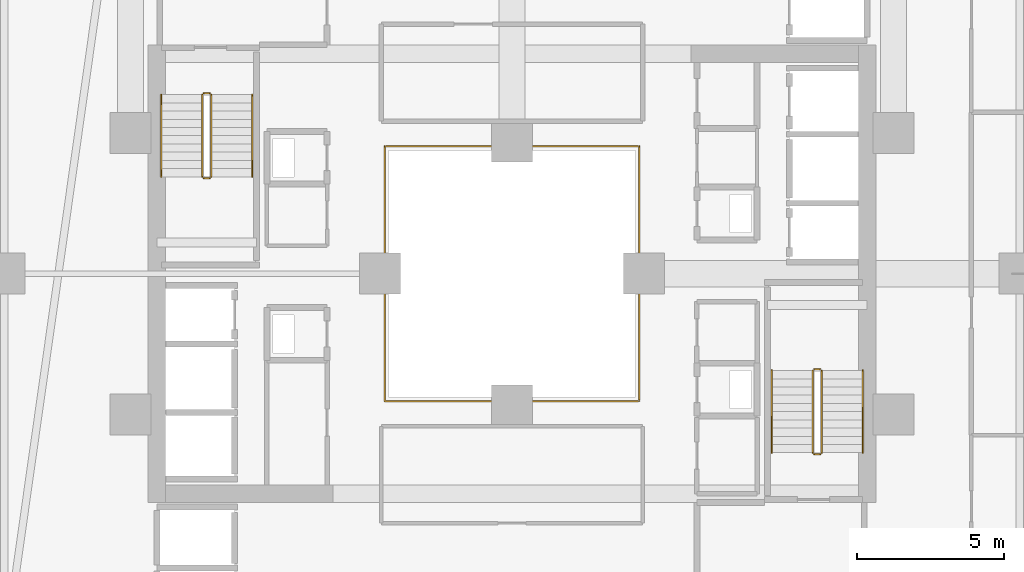
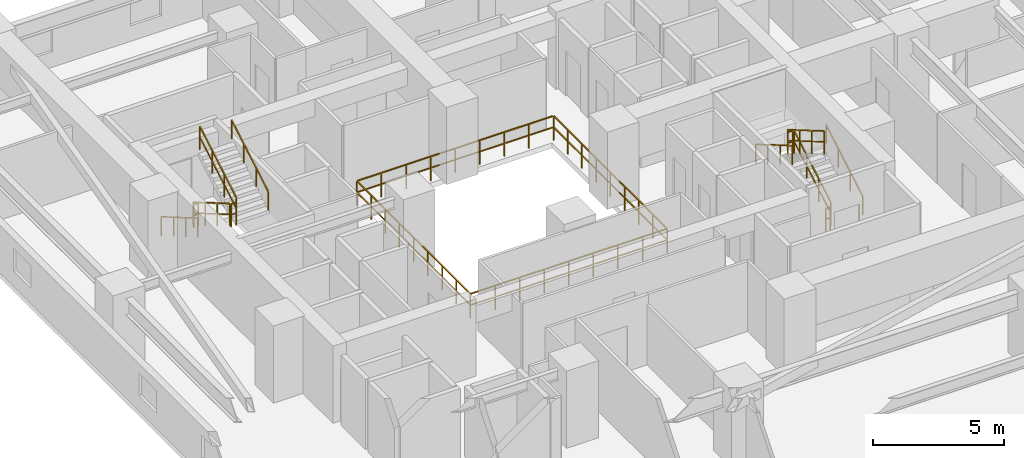
# One storey, part 35 of 36: 13 railings.
"""IFC4 building model written with IfcOpenShell, lengths in metres."""

from ifc_helpers import new_model, si_unit, direction, frame, origin, origin_2d, place, context, subcontext, project, spatial, rectangle, extrude, material, type_object, element, save


model = new_model("IFC4")

# Units and contexts
model_context = context("Model", 3, precision=1e-05, world=origin(), true_north=direction((0.0, 1.0)))
body_context = subcontext(model_context, "Body", "Model", "MODEL_VIEW")
ifc_project = project(units=[si_unit("LENGTHUNIT", "METRE"), si_unit("AREAUNIT", "SQUARE_METRE"), si_unit("VOLUMEUNIT", "CUBIC_METRE"), si_unit("PLANEANGLEUNIT", "RADIAN"), si_unit("MASSUNIT", "GRAM", prefix="KILO")], contexts=[model_context])

# Site, building, storey
site_placement = place(None, origin())
site = spatial("IfcSite", under=ifc_project, at=site_placement, CompositionType="ELEMENT")
building_placement = place(site_placement, origin())
building = spatial("IfcBuilding", under=site, at=building_placement, Name="Thornwick Lancets Civic Towers", CompositionType="ELEMENT")
storey_placement = place(building_placement, frame((0.0, 0.0, 45.89990234375)))
storey = spatial("IfcBuildingStorey", under=building, at=storey_placement, Name="L11", CompositionType="ELEMENT", Elevation=45.89990234375)

# Railings
ifc_material_1 = material(Name="Laminated glass and bronze steel S355", Category="steel")
railing_type_1 = type_object("IfcRailingType", Name="RAIL_ATRIUM_GUARD", PredefinedType="BALUSTRADE", material=ifc_material_1)
railing_1_placement = place(storey_placement, frame((84.159912109375, 22.659912109375, 0.0)))
element("IfcRailing", 1, at=railing_1_placement, inside=storey, type_object=railing_type_1, Name="L11 Tower B Central Atrium Guard Balustrade", PredefinedType="BALUSTRADE", context=body_context, shape_type="SweptSolid", body=[
    extrude(rectangle(XDim=0.048095703125, YDim=0.048095703125, at=origin_2d()), frame((0.0, 0.0, 1.1259765625), z_axis=(1.0, 0.0, 0.0), x_axis=(0.0, 1.0, 0.0)), (0.0, 0.0, 1.0), 8.64892578125),
    extrude(rectangle(XDim=0.0419921875, YDim=0.0419921875, at=origin_2d()), frame((0.03759765625, 0.0, 0.597900390625), z_axis=(1.0, 0.0, 0.0), x_axis=(0.0, 1.0, 0.0)), (0.0, 0.0, 1.0), 1.010009765625),
    extrude(rectangle(XDim=0.0419921875, YDim=0.0419921875, at=origin_2d()), frame((1.12255859375, 0.0, 0.597900390625), z_axis=(1.0, 0.0, 0.0), x_axis=(0.0, 1.0, 0.0)), (0.0, 0.0, 1.0), 1.010009765625),
    extrude(rectangle(XDim=0.0419921875, YDim=0.0419921875, at=origin_2d()), frame((2.20751953125, 0.0, 0.597900390625), z_axis=(1.0, 0.0, 0.0), x_axis=(0.0, 1.0, 0.0)), (0.0, 0.0, 1.0), 1.010009765625),
    extrude(rectangle(XDim=0.0419921875, YDim=0.0419921875, at=origin_2d()), frame((3.29248046875, 0.0, 0.597900390625), z_axis=(1.0, 0.0, 0.0), x_axis=(0.0, 1.0, 0.0)), (0.0, 0.0, 1.0), 1.010009765625),
    extrude(rectangle(XDim=0.0419921875, YDim=0.0419921875, at=origin_2d()), frame((4.377685546875, 0.0, 0.597900390625), z_axis=(1.0, 0.0, 0.0), x_axis=(0.0, 1.0, 0.0)), (0.0, 0.0, 1.0), 1.010009765625),
    extrude(rectangle(XDim=0.0419921875, YDim=0.0419921875, at=origin_2d()), frame((5.462646484375, 0.0, 0.597900390625), z_axis=(1.0, 0.0, 0.0), x_axis=(0.0, 1.0, 0.0)), (0.0, 0.0, 1.0), 1.010009765625),
    extrude(rectangle(XDim=0.0419921875, YDim=0.0419921875, at=origin_2d()), frame((6.547607421875, 0.0, 0.597900390625), z_axis=(1.0, 0.0, 0.0), x_axis=(0.0, 1.0, 0.0)), (0.0, 0.0, 1.0), 1.010009765625),
    extrude(rectangle(XDim=0.0419921875, YDim=0.0419921875, at=origin_2d()), frame((7.632568359375, 0.0, 0.597900390625), z_axis=(1.0, 0.0, 0.0), x_axis=(0.0, 1.0, 0.0)), (0.0, 0.0, 1.0), 1.010009765625),
    extrude(rectangle(XDim=0.048095703125, YDim=0.048095703125, at=origin_2d()), frame((8.68017578125, 0.03125, 1.1259765625), z_axis=(0.0, 1.0, 0.0), x_axis=(-1.0, 0.0, 0.0)), (0.0, 0.0, 1.0), 8.61767578125),
    extrude(rectangle(XDim=0.0419921875, YDim=0.0419921875, at=origin_2d()), frame((8.68017578125, 0.03759765625, 0.597900390625), z_axis=(0.0, 1.0, 0.0), x_axis=(-1.0, 0.0, 0.0)), (0.0, 0.0, 1.0), 1.010009765625),
    extrude(rectangle(XDim=0.0419921875, YDim=0.0419921875, at=origin_2d()), frame((8.68017578125, 1.12255859375, 0.597900390625), z_axis=(0.0, 1.0, 0.0), x_axis=(-1.0, 0.0, 0.0)), (0.0, 0.0, 1.0), 1.010009765625),
    extrude(rectangle(XDim=0.0419921875, YDim=0.0419921875, at=origin_2d()), frame((8.68017578125, 2.20751953125, 0.597900390625), z_axis=(0.0, 1.0, 0.0), x_axis=(-1.0, 0.0, 0.0)), (0.0, 0.0, 1.0), 1.010009765625),
    extrude(rectangle(XDim=0.0419921875, YDim=0.0419921875, at=origin_2d()), frame((8.68017578125, 3.29248046875, 0.597900390625), z_axis=(0.0, 1.0, 0.0), x_axis=(-1.0, 0.0, 0.0)), (0.0, 0.0, 1.0), 1.010009765625),
    extrude(rectangle(XDim=0.0419921875, YDim=0.0419921875, at=origin_2d()), frame((8.68017578125, 4.377685546875, 0.597900390625), z_axis=(0.0, 1.0, 0.0), x_axis=(-1.0, 0.0, 0.0)), (0.0, 0.0, 1.0), 1.010009765625),
    extrude(rectangle(XDim=0.0419921875, YDim=0.0419921875, at=origin_2d()), frame((8.68017578125, 5.462646484375, 0.597900390625), z_axis=(0.0, 1.0, 0.0), x_axis=(-1.0, 0.0, 0.0)), (0.0, 0.0, 1.0), 1.010009765625),
    extrude(rectangle(XDim=0.0419921875, YDim=0.0419921875, at=origin_2d()), frame((8.68017578125, 6.547607421875, 0.597900390625), z_axis=(0.0, 1.0, 0.0), x_axis=(-1.0, 0.0, 0.0)), (0.0, 0.0, 1.0), 1.010009765625),
    extrude(rectangle(XDim=0.0419921875, YDim=0.0419921875, at=origin_2d()), frame((8.68017578125, 7.632568359375, 0.597900390625), z_axis=(0.0, 1.0, 0.0), x_axis=(-1.0, 0.0, 0.0)), (0.0, 0.0, 1.0), 1.010009765625),
    extrude(rectangle(XDim=0.048095703125, YDim=0.048095703125, at=origin_2d()), frame((8.64892578125, 8.68017578125, 1.1259765625), z_axis=(-1.0, 0.0, 0.0), x_axis=(0.0, -1.0, 0.0)), (0.0, 0.0, 1.0), 8.61767578125),
    extrude(rectangle(XDim=0.0419921875, YDim=0.0419921875, at=origin_2d()), frame((8.642578125, 8.68017578125, 0.597900390625), z_axis=(-1.0, 0.0, 0.0), x_axis=(0.0, -1.0, 0.0)), (0.0, 0.0, 1.0), 1.010009765625),
    extrude(rectangle(XDim=0.0419921875, YDim=0.0419921875, at=origin_2d()), frame((7.5576171875, 8.68017578125, 0.597900390625), z_axis=(-1.0, 0.0, 0.0), x_axis=(0.0, -1.0, 0.0)), (0.0, 0.0, 1.0), 1.010009765625),
    extrude(rectangle(XDim=0.0419921875, YDim=0.0419921875, at=origin_2d()), frame((6.47265625, 8.68017578125, 0.597900390625), z_axis=(-1.0, 0.0, 0.0), x_axis=(0.0, -1.0, 0.0)), (0.0, 0.0, 1.0), 1.010009765625),
    extrude(rectangle(XDim=0.0419921875, YDim=0.0419921875, at=origin_2d()), frame((5.3876953125, 8.68017578125, 0.597900390625), z_axis=(-1.0, 0.0, 0.0), x_axis=(0.0, -1.0, 0.0)), (0.0, 0.0, 1.0), 1.010009765625),
    extrude(rectangle(XDim=0.0419921875, YDim=0.0419921875, at=origin_2d()), frame((4.302490234375, 8.68017578125, 0.597900390625), z_axis=(-1.0, 0.0, 0.0), x_axis=(0.0, -1.0, 0.0)), (0.0, 0.0, 1.0), 1.010009765625),
    extrude(rectangle(XDim=0.0419921875, YDim=0.0419921875, at=origin_2d()), frame((3.217529296875, 8.68017578125, 0.597900390625), z_axis=(-1.0, 0.0, 0.0), x_axis=(0.0, -1.0, 0.0)), (0.0, 0.0, 1.0), 1.010009765625),
    extrude(rectangle(XDim=0.0419921875, YDim=0.0419921875, at=origin_2d()), frame((2.132568359375, 8.68017578125, 0.597900390625), z_axis=(-1.0, 0.0, 0.0), x_axis=(0.0, -1.0, 0.0)), (0.0, 0.0, 1.0), 1.010009765625),
    extrude(rectangle(XDim=0.0419921875, YDim=0.0419921875, at=origin_2d()), frame((1.047607421875, 8.68017578125, 0.597900390625), z_axis=(-1.0, 0.0, 0.0), x_axis=(0.0, -1.0, 0.0)), (0.0, 0.0, 1.0), 1.010009765625),
    extrude(rectangle(XDim=0.048095703125, YDim=0.048095703125, at=origin_2d()), frame((0.0, 8.64892578125, 1.1259765625), z_axis=(0.0, -1.0, 0.0), x_axis=(1.0, 0.0, 0.0)), (0.0, 0.0, 1.0), 8.64892578125),
    extrude(rectangle(XDim=0.0419921875, YDim=0.0419921875, at=origin_2d()), frame((0.0, 8.642578125, 0.597900390625), z_axis=(0.0, -1.0, 0.0), x_axis=(1.0, 0.0, 0.0)), (0.0, 0.0, 1.0), 1.010009765625),
    extrude(rectangle(XDim=0.0419921875, YDim=0.0419921875, at=origin_2d()), frame((0.0, 7.5576171875, 0.597900390625), z_axis=(0.0, -1.0, 0.0), x_axis=(1.0, 0.0, 0.0)), (0.0, 0.0, 1.0), 1.010009765625),
    extrude(rectangle(XDim=0.0419921875, YDim=0.0419921875, at=origin_2d()), frame((0.0, 6.47265625, 0.597900390625), z_axis=(0.0, -1.0, 0.0), x_axis=(1.0, 0.0, 0.0)), (0.0, 0.0, 1.0), 1.010009765625),
    extrude(rectangle(XDim=0.0419921875, YDim=0.0419921875, at=origin_2d()), frame((0.0, 5.3876953125, 0.597900390625), z_axis=(0.0, -1.0, 0.0), x_axis=(1.0, 0.0, 0.0)), (0.0, 0.0, 1.0), 1.010009765625),
    extrude(rectangle(XDim=0.0419921875, YDim=0.0419921875, at=origin_2d()), frame((0.0, 4.302490234375, 0.597900390625), z_axis=(0.0, -1.0, 0.0), x_axis=(1.0, 0.0, 0.0)), (0.0, 0.0, 1.0), 1.010009765625),
    extrude(rectangle(XDim=0.0419921875, YDim=0.0419921875, at=origin_2d()), frame((0.0, 3.217529296875, 0.597900390625), z_axis=(0.0, -1.0, 0.0), x_axis=(1.0, 0.0, 0.0)), (0.0, 0.0, 1.0), 1.010009765625),
    extrude(rectangle(XDim=0.0419921875, YDim=0.0419921875, at=origin_2d()), frame((0.0, 2.132568359375, 0.597900390625), z_axis=(0.0, -1.0, 0.0), x_axis=(1.0, 0.0, 0.0)), (0.0, 0.0, 1.0), 1.010009765625),
    extrude(rectangle(XDim=0.0419921875, YDim=0.0419921875, at=origin_2d()), frame((0.0, 1.047607421875, 0.597900390625), z_axis=(0.0, -1.0, 0.0), x_axis=(1.0, 0.0, 0.0)), (0.0, 0.0, 1.0), 1.010009765625),
    extrude(rectangle(XDim=0.0419921875, YDim=0.0419921875, at=origin_2d()), origin(), (0.0, 0.0, 1.0), 1.095703125),
    extrude(rectangle(XDim=0.0419921875, YDim=0.0419921875, at=origin_2d()), frame((1.0849609375, 0.0, 0.0)), (0.0, 0.0, 1.0), 1.095703125),
    extrude(rectangle(XDim=0.0419921875, YDim=0.0419921875, at=origin_2d()), frame((2.169921875, 0.0, 0.0)), (0.0, 0.0, 1.0), 1.095703125),
    extrude(rectangle(XDim=0.0419921875, YDim=0.0419921875, at=origin_2d()), frame((3.255126953125, 0.0, 0.0)), (0.0, 0.0, 1.0), 1.095703125),
    extrude(rectangle(XDim=0.0419921875, YDim=0.0419921875, at=origin_2d()), frame((4.340087890625, 0.0, 0.0)), (0.0, 0.0, 1.0), 1.095703125),
    extrude(rectangle(XDim=0.0419921875, YDim=0.0419921875, at=origin_2d()), frame((5.425048828125, 0.0, 0.0)), (0.0, 0.0, 1.0), 1.095703125),
    extrude(rectangle(XDim=0.0419921875, YDim=0.0419921875, at=origin_2d()), frame((6.51025390625, 0.0, 0.0)), (0.0, 0.0, 1.0), 1.095703125),
    extrude(rectangle(XDim=0.0419921875, YDim=0.0419921875, at=origin_2d()), frame((7.59521484375, 0.0, 0.0)), (0.0, 0.0, 1.0), 1.095703125),
    extrude(rectangle(XDim=0.0419921875, YDim=0.0419921875, at=origin_2d()), frame((8.68017578125, 0.0, 0.0)), (0.0, 0.0, 1.0), 1.095703125),
    extrude(rectangle(XDim=0.0419921875, YDim=0.0419921875, at=origin_2d()), frame((8.68017578125, 1.0849609375, 0.0)), (0.0, 0.0, 1.0), 1.095703125),
    extrude(rectangle(XDim=0.0419921875, YDim=0.0419921875, at=origin_2d()), frame((8.68017578125, 2.169921875, 0.0)), (0.0, 0.0, 1.0), 1.095703125),
    extrude(rectangle(XDim=0.0419921875, YDim=0.0419921875, at=origin_2d()), frame((8.68017578125, 3.255126953125, 0.0)), (0.0, 0.0, 1.0), 1.095703125),
    extrude(rectangle(XDim=0.0419921875, YDim=0.0419921875, at=origin_2d()), frame((8.68017578125, 4.340087890625, 0.0)), (0.0, 0.0, 1.0), 1.095703125),
    extrude(rectangle(XDim=0.0419921875, YDim=0.0419921875, at=origin_2d()), frame((8.68017578125, 5.425048828125, 0.0)), (0.0, 0.0, 1.0), 1.095703125),
    extrude(rectangle(XDim=0.0419921875, YDim=0.0419921875, at=origin_2d()), frame((8.68017578125, 6.51025390625, 0.0)), (0.0, 0.0, 1.0), 1.095703125),
    extrude(rectangle(XDim=0.0419921875, YDim=0.0419921875, at=origin_2d()), frame((8.68017578125, 7.59521484375, 0.0)), (0.0, 0.0, 1.0), 1.095703125),
    extrude(rectangle(XDim=0.0419921875, YDim=0.0419921875, at=origin_2d()), frame((8.68017578125, 8.68017578125, 0.0)), (0.0, 0.0, 1.0), 1.095703125),
    extrude(rectangle(XDim=0.0419921875, YDim=0.0419921875, at=origin_2d()), frame((7.59521484375, 8.68017578125, 0.0)), (0.0, 0.0, 1.0), 1.095703125),
    extrude(rectangle(XDim=0.0419921875, YDim=0.0419921875, at=origin_2d()), frame((6.51025390625, 8.68017578125, 0.0)), (0.0, 0.0, 1.0), 1.095703125),
    extrude(rectangle(XDim=0.0419921875, YDim=0.0419921875, at=origin_2d()), frame((5.425048828125, 8.68017578125, 0.0)), (0.0, 0.0, 1.0), 1.095703125),
    extrude(rectangle(XDim=0.0419921875, YDim=0.0419921875, at=origin_2d()), frame((4.340087890625, 8.68017578125, 0.0)), (0.0, 0.0, 1.0), 1.095703125),
    extrude(rectangle(XDim=0.0419921875, YDim=0.0419921875, at=origin_2d()), frame((3.255126953125, 8.68017578125, 0.0)), (0.0, 0.0, 1.0), 1.095703125),
    extrude(rectangle(XDim=0.0419921875, YDim=0.0419921875, at=origin_2d()), frame((2.169921875, 8.68017578125, 0.0)), (0.0, 0.0, 1.0), 1.095703125),
    extrude(rectangle(XDim=0.0419921875, YDim=0.0419921875, at=origin_2d()), frame((1.0849609375, 8.68017578125, 0.0)), (0.0, 0.0, 1.0), 1.095703125),
    extrude(rectangle(XDim=0.0419921875, YDim=0.0419921875, at=origin_2d()), frame((0.0, 8.68017578125, 0.0)), (0.0, 0.0, 1.0), 1.095703125),
    extrude(rectangle(XDim=0.0419921875, YDim=0.0419921875, at=origin_2d()), frame((0.0, 7.59521484375, 0.0)), (0.0, 0.0, 1.0), 1.095703125),
    extrude(rectangle(XDim=0.0419921875, YDim=0.0419921875, at=origin_2d()), frame((0.0, 6.51025390625, 0.0)), (0.0, 0.0, 1.0), 1.095703125),
    extrude(rectangle(XDim=0.0419921875, YDim=0.0419921875, at=origin_2d()), frame((0.0, 5.425048828125, 0.0)), (0.0, 0.0, 1.0), 1.095703125),
    extrude(rectangle(XDim=0.0419921875, YDim=0.0419921875, at=origin_2d()), frame((0.0, 4.340087890625, 0.0)), (0.0, 0.0, 1.0), 1.095703125),
    extrude(rectangle(XDim=0.0419921875, YDim=0.0419921875, at=origin_2d()), frame((0.0, 3.255126953125, 0.0)), (0.0, 0.0, 1.0), 1.095703125),
    extrude(rectangle(XDim=0.0419921875, YDim=0.0419921875, at=origin_2d()), frame((0.0, 2.169921875, 0.0)), (0.0, 0.0, 1.0), 1.095703125),
    extrude(rectangle(XDim=0.0419921875, YDim=0.0419921875, at=origin_2d()), frame((0.0, 1.0849609375, 0.0)), (0.0, 0.0, 1.0), 1.095703125),
])
ifc_material_2 = material(Name="Brushed stainless steel S355", Category="steel")
railing_type_2 = type_object("IfcRailingType", Name="RAIL_HANDRAIL", PredefinedType="HANDRAIL", material=ifc_material_2)
railing_2_placement = place(storey_placement, frame((100.449951171875, 20.89990234375, 0.163818359375)))
element("IfcRailing", 2, at=railing_2_placement, inside=storey, type_object=railing_type_2, Name="L11 ST-B1 stair handrail 1", PredefinedType="HANDRAIL", context=body_context, shape_type="SweptSolid", body=[
    extrude(rectangle(XDim=0.048095703125, YDim=0.048095703125, at=origin_2d()), frame((0.0, 0.0, 0.8857421875), z_axis=(0.0, 0.863393664356, 0.504530851732), x_axis=(-1.0, 0.0, 0.0)), (0.0, 0.0, 1.0), 3.2431640625),
    extrude(rectangle(XDim=0.0419921875, YDim=0.0419921875, at=origin_2d()), origin(), (0.0, 0.0, 1.0), 0.855712890625),
    extrude(rectangle(XDim=0.0419921875, YDim=0.0419921875, at=origin_2d()), frame((0.0, 0.933349609375, 0.54541015625)), (0.0, 0.0, 1.0), 0.855712890625),
    extrude(rectangle(XDim=0.0419921875, YDim=0.0419921875, at=origin_2d()), frame((0.0, 1.86669921875, 1.0908203125)), (0.0, 0.0, 1.0), 0.855712890625),
    extrude(rectangle(XDim=0.0419921875, YDim=0.0419921875, at=origin_2d()), frame((0.0, 2.800048828125, 1.63623046875)), (0.0, 0.0, 1.0), 0.855712890625),
])
railing_3_placement = place(storey_placement, frame((97.35009765625, 23.699951171875, 1.963623046875)))
element("IfcRailing", 3, at=railing_3_placement, inside=storey, type_object=railing_type_2, Name="L11 ST-B1 stair handrail 2", PredefinedType="HANDRAIL", context=body_context, shape_type="SweptSolid", body=[
    extrude(rectangle(XDim=0.048095703125, YDim=0.048095703125, at=origin_2d()), frame((0.0, 0.0, 0.8857421875), z_axis=(0.0, -0.863360870873, 0.504586966384), x_axis=(1.0, 0.0, 0.0)), (0.0, 0.0, 1.0), 3.2431640625),
    extrude(rectangle(XDim=0.0419921875, YDim=0.0419921875, at=origin_2d()), origin(), (0.0, 0.0, 1.0), 0.855712890625),
    extrude(rectangle(XDim=0.0419921875, YDim=0.0419921875, at=origin_2d()), frame((0.0, -0.933349609375, 0.54541015625)), (0.0, 0.0, 1.0), 0.855712890625),
    extrude(rectangle(XDim=0.0419921875, YDim=0.0419921875, at=origin_2d()), frame((0.0, -1.86669921875, 1.091064453125)), (0.0, 0.0, 1.0), 0.855712890625),
    extrude(rectangle(XDim=0.0419921875, YDim=0.0419921875, at=origin_2d()), frame((0.0, -2.800048828125, 1.636474609375)), (0.0, 0.0, 1.0), 0.855712890625),
])
railing_4_placement = place(storey_placement, frame((76.550048828125, 33.10009765625, 0.163818359375)))
element("IfcRailing", 4, at=railing_4_placement, inside=storey, type_object=railing_type_2, Name="L11 ST-B2 stair handrail 1", PredefinedType="HANDRAIL", context=body_context, shape_type="SweptSolid", body=[
    extrude(rectangle(XDim=0.048095703125, YDim=0.048095703125, at=origin_2d()), frame((0.0, 0.0, 0.8857421875), z_axis=(0.0, -0.863393664356, 0.504530851732), x_axis=(1.0, 0.0, 0.0)), (0.0, 0.0, 1.0), 3.2431640625),
    extrude(rectangle(XDim=0.0419921875, YDim=0.0419921875, at=origin_2d()), origin(), (0.0, 0.0, 1.0), 0.855712890625),
    extrude(rectangle(XDim=0.0419921875, YDim=0.0419921875, at=origin_2d()), frame((0.0, -0.933349609375, 0.54541015625)), (0.0, 0.0, 1.0), 0.855712890625),
    extrude(rectangle(XDim=0.0419921875, YDim=0.0419921875, at=origin_2d()), frame((0.0, -1.86669921875, 1.0908203125)), (0.0, 0.0, 1.0), 0.855712890625),
    extrude(rectangle(XDim=0.0419921875, YDim=0.0419921875, at=origin_2d()), frame((0.0, -2.800048828125, 1.63623046875)), (0.0, 0.0, 1.0), 0.855712890625),
])
railing_5_placement = place(storey_placement, frame((79.64990234375, 30.300048828125, 1.963623046875)))
element("IfcRailing", 5, at=railing_5_placement, inside=storey, type_object=railing_type_2, Name="L11 ST-B2 stair handrail 2", PredefinedType="HANDRAIL", context=body_context, shape_type="SweptSolid", body=[
    extrude(rectangle(XDim=0.048095703125, YDim=0.048095703125, at=origin_2d()), frame((0.0, 0.0, 0.8857421875), z_axis=(0.0, 0.863360870873, 0.504586966384), x_axis=(-1.0, 0.0, 0.0)), (0.0, 0.0, 1.0), 3.2431640625),
    extrude(rectangle(XDim=0.0419921875, YDim=0.0419921875, at=origin_2d()), origin(), (0.0, 0.0, 1.0), 0.855712890625),
    extrude(rectangle(XDim=0.0419921875, YDim=0.0419921875, at=origin_2d()), frame((0.0, 0.933349609375, 0.54541015625)), (0.0, 0.0, 1.0), 0.855712890625),
    extrude(rectangle(XDim=0.0419921875, YDim=0.0419921875, at=origin_2d()), frame((0.0, 1.86669921875, 1.091064453125)), (0.0, 0.0, 1.0), 0.855712890625),
    extrude(rectangle(XDim=0.0419921875, YDim=0.0419921875, at=origin_2d()), frame((0.0, 2.800048828125, 1.636474609375)), (0.0, 0.0, 1.0), 0.855712890625),
])
ifc_material_3 = material(Name="Steel S355JR", Category="steel")
railing_type_3 = type_object("IfcRailingType", Name="RAIL_STAIR_GUARD", PredefinedType="GUARDRAIL", material=ifc_material_3)
railing_6_placement = place(storey_placement, frame((99.050048828125, 20.89990234375, 0.163818359375)))
element("IfcRailing", 6, at=railing_6_placement, inside=storey, type_object=railing_type_3, Name="L11 ST-B1 stair guard 1", PredefinedType="GUARDRAIL", context=body_context, shape_type="SweptSolid", body=[
    extrude(rectangle(XDim=0.048095703125, YDim=0.048095703125, at=origin_2d()), frame((0.0, 0.0, 1.076171875), z_axis=(0.0, 0.863393664356, 0.504530851732), x_axis=(-1.0, 0.0, 0.0)), (0.0, 0.0, 1.0), 3.2431640625),
    extrude(rectangle(XDim=0.0419921875, YDim=0.0419921875, at=origin_2d()), frame((0.0, 0.032470703125, 0.591064453125), z_axis=(0.0, 0.863393664356, 0.504530851732), x_axis=(-1.0, 0.0, 0.0)), (0.0, 0.0, 1.0), 1.006103515625),
    extrude(rectangle(XDim=0.0419921875, YDim=0.0419921875, at=origin_2d()), frame((0.0, 0.9658203125, 1.136474609375), z_axis=(0.0, 0.863393664356, 0.504530851732), x_axis=(-1.0, 0.0, 0.0)), (0.0, 0.0, 1.0), 1.006103515625),
    extrude(rectangle(XDim=0.0419921875, YDim=0.0419921875, at=origin_2d()), frame((0.0, 1.899169921875, 1.681884765625), z_axis=(0.0, 0.863393664356, 0.504530851732), x_axis=(-1.0, 0.0, 0.0)), (0.0, 0.0, 1.0), 1.006103515625),
    extrude(rectangle(XDim=0.0419921875, YDim=0.0419921875, at=origin_2d()), origin(), (0.0, 0.0, 1.0), 1.0458984375),
    extrude(rectangle(XDim=0.0419921875, YDim=0.0419921875, at=origin_2d()), frame((0.0, 0.933349609375, 0.54541015625)), (0.0, 0.0, 1.0), 1.0458984375),
    extrude(rectangle(XDim=0.0419921875, YDim=0.0419921875, at=origin_2d()), frame((0.0, 1.86669921875, 1.0908203125)), (0.0, 0.0, 1.0), 1.0458984375),
    extrude(rectangle(XDim=0.0419921875, YDim=0.0419921875, at=origin_2d()), frame((0.0, 2.800048828125, 1.63623046875)), (0.0, 0.0, 1.0), 1.0458984375),
])
railing_7_placement = place(storey_placement, frame((99.0, 23.75, 1.800048828125)))
element("IfcRailing", 7, at=railing_7_placement, inside=storey, type_object=railing_type_3, Name="L11 ST-B1 stair guard 2", PredefinedType="GUARDRAIL", context=body_context, shape_type="SweptSolid", body=[
    extrude(rectangle(XDim=0.048095703125, YDim=0.048095703125, at=origin_2d()), frame((0.0, 0.0, 1.076171875), z_axis=(-1.0, 0.0, 0.0), x_axis=(0.0, -1.0, 0.0)), (0.0, 0.0, 1.0), 0.199951171875),
    extrude(rectangle(XDim=0.0419921875, YDim=0.0419921875, at=origin_2d()), frame((-0.03759765625, 0.0, 0.572021484375), z_axis=(-1.0, 0.0, 0.0), x_axis=(0.0, -1.0, 0.0)), (0.0, 0.0, 1.0), 0.125),
    extrude(rectangle(XDim=0.0419921875, YDim=0.0419921875, at=origin_2d()), origin(), (0.0, 0.0, 1.0), 1.0458984375),
    extrude(rectangle(XDim=0.0419921875, YDim=0.0419921875, at=origin_2d()), frame((-0.199951171875, 0.0, 0.0)), (0.0, 0.0, 1.0), 1.0458984375),
])
railing_8_placement = place(storey_placement, frame((98.75, 23.699951171875, 1.963623046875)))
element("IfcRailing", 8, at=railing_8_placement, inside=storey, type_object=railing_type_3, Name="L11 ST-B1 stair guard 3", PredefinedType="GUARDRAIL", context=body_context, shape_type="SweptSolid", body=[
    extrude(rectangle(XDim=0.048095703125, YDim=0.048095703125, at=origin_2d()), frame((0.0, 0.0, 1.076171875), z_axis=(0.0, -0.863360870873, 0.504586966384), x_axis=(1.0, 0.0, 0.0)), (0.0, 0.0, 1.0), 3.2431640625),
    extrude(rectangle(XDim=0.0419921875, YDim=0.0419921875, at=origin_2d()), frame((0.0, -0.032470703125, 0.591064453125), z_axis=(0.0, -0.863360870873, 0.504586966384), x_axis=(1.0, 0.0, 0.0)), (0.0, 0.0, 1.0), 1.006103515625),
    extrude(rectangle(XDim=0.0419921875, YDim=0.0419921875, at=origin_2d()), frame((0.0, -0.9658203125, 1.136474609375), z_axis=(0.0, -0.863360870873, 0.504586966384), x_axis=(1.0, 0.0, 0.0)), (0.0, 0.0, 1.0), 1.006103515625),
    extrude(rectangle(XDim=0.0419921875, YDim=0.0419921875, at=origin_2d()), frame((0.0, -1.899169921875, 1.681884765625), z_axis=(0.0, -0.863360870873, 0.504586966384), x_axis=(1.0, 0.0, 0.0)), (0.0, 0.0, 1.0), 1.006103515625),
    extrude(rectangle(XDim=0.0419921875, YDim=0.0419921875, at=origin_2d()), origin(), (0.0, 0.0, 1.0), 1.0458984375),
    extrude(rectangle(XDim=0.0419921875, YDim=0.0419921875, at=origin_2d()), frame((0.0, -0.933349609375, 0.54541015625)), (0.0, 0.0, 1.0), 1.0458984375),
    extrude(rectangle(XDim=0.0419921875, YDim=0.0419921875, at=origin_2d()), frame((0.0, -1.86669921875, 1.091064453125)), (0.0, 0.0, 1.0), 1.0458984375),
    extrude(rectangle(XDim=0.0419921875, YDim=0.0419921875, at=origin_2d()), frame((0.0, -2.800048828125, 1.636474609375)), (0.0, 0.0, 1.0), 1.0458984375),
])
railing_9_placement = place(storey_placement, frame((99.0, 20.85009765625, 0.0)))
element("IfcRailing", 9, at=railing_9_placement, inside=storey, type_object=railing_type_3, Name="L11 ST-B1 stair guard 4", PredefinedType="GUARDRAIL", context=body_context, shape_type="SweptSolid", body=[
    extrude(rectangle(XDim=0.048095703125, YDim=0.048095703125, at=origin_2d()), frame((0.0, 0.0, 1.076171875), z_axis=(-1.0, 0.0, 0.0), x_axis=(0.0, -1.0, 0.0)), (0.0, 0.0, 1.0), 0.199951171875),
    extrude(rectangle(XDim=0.0419921875, YDim=0.0419921875, at=origin_2d()), frame((-0.03759765625, 0.0, 0.572021484375), z_axis=(-1.0, 0.0, 0.0), x_axis=(0.0, -1.0, 0.0)), (0.0, 0.0, 1.0), 0.125),
    extrude(rectangle(XDim=0.0419921875, YDim=0.0419921875, at=origin_2d()), origin(), (0.0, 0.0, 1.0), 1.0458984375),
    extrude(rectangle(XDim=0.0419921875, YDim=0.0419921875, at=origin_2d()), frame((-0.199951171875, 0.0, 0.0)), (0.0, 0.0, 1.0), 1.0458984375),
])
railing_10_placement = place(storey_placement, frame((77.949951171875, 33.10009765625, 0.163818359375)))
element("IfcRailing", 10, at=railing_10_placement, inside=storey, type_object=railing_type_3, Name="L11 ST-B2 stair guard 1", PredefinedType="GUARDRAIL", context=body_context, shape_type="SweptSolid", body=[
    extrude(rectangle(XDim=0.048095703125, YDim=0.048095703125, at=origin_2d()), frame((0.0, 0.0, 1.076171875), z_axis=(0.0, -0.863393664356, 0.504530851732), x_axis=(1.0, 0.0, 0.0)), (0.0, 0.0, 1.0), 3.2431640625),
    extrude(rectangle(XDim=0.0419921875, YDim=0.0419921875, at=origin_2d()), frame((0.0, -0.032470703125, 0.591064453125), z_axis=(0.0, -0.863393664356, 0.504530851732), x_axis=(1.0, 0.0, 0.0)), (0.0, 0.0, 1.0), 1.006103515625),
    extrude(rectangle(XDim=0.0419921875, YDim=0.0419921875, at=origin_2d()), frame((0.0, -0.9658203125, 1.136474609375), z_axis=(0.0, -0.863393664356, 0.504530851732), x_axis=(1.0, 0.0, 0.0)), (0.0, 0.0, 1.0), 1.006103515625),
    extrude(rectangle(XDim=0.0419921875, YDim=0.0419921875, at=origin_2d()), frame((0.0, -1.899169921875, 1.681884765625), z_axis=(0.0, -0.863393664356, 0.504530851732), x_axis=(1.0, 0.0, 0.0)), (0.0, 0.0, 1.0), 1.006103515625),
    extrude(rectangle(XDim=0.0419921875, YDim=0.0419921875, at=origin_2d()), origin(), (0.0, 0.0, 1.0), 1.0458984375),
    extrude(rectangle(XDim=0.0419921875, YDim=0.0419921875, at=origin_2d()), frame((0.0, -0.933349609375, 0.54541015625)), (0.0, 0.0, 1.0), 1.0458984375),
    extrude(rectangle(XDim=0.0419921875, YDim=0.0419921875, at=origin_2d()), frame((0.0, -1.86669921875, 1.0908203125)), (0.0, 0.0, 1.0), 1.0458984375),
    extrude(rectangle(XDim=0.0419921875, YDim=0.0419921875, at=origin_2d()), frame((0.0, -2.800048828125, 1.63623046875)), (0.0, 0.0, 1.0), 1.0458984375),
])
railing_11_placement = place(storey_placement, frame((78.0, 30.25, 1.800048828125)))
element("IfcRailing", 11, at=railing_11_placement, inside=storey, type_object=railing_type_3, Name="L11 ST-B2 stair guard 2", PredefinedType="GUARDRAIL", context=body_context, shape_type="SweptSolid", body=[
    extrude(rectangle(XDim=0.048095703125, YDim=0.048095703125, at=origin_2d()), frame((0.0, 0.0, 1.076171875), z_axis=(1.0, 0.0, 0.0), x_axis=(0.0, 1.0, 0.0)), (0.0, 0.0, 1.0), 0.199951171875),
    extrude(rectangle(XDim=0.0419921875, YDim=0.0419921875, at=origin_2d()), frame((0.03759765625, 0.0, 0.572021484375), z_axis=(1.0, 0.0, 0.0), x_axis=(0.0, 1.0, 0.0)), (0.0, 0.0, 1.0), 0.125),
    extrude(rectangle(XDim=0.0419921875, YDim=0.0419921875, at=origin_2d()), origin(), (0.0, 0.0, 1.0), 1.0458984375),
    extrude(rectangle(XDim=0.0419921875, YDim=0.0419921875, at=origin_2d()), frame((0.199951171875, 0.0, 0.0)), (0.0, 0.0, 1.0), 1.0458984375),
])
railing_12_placement = place(storey_placement, frame((78.25, 30.300048828125, 1.963623046875)))
element("IfcRailing", 12, at=railing_12_placement, inside=storey, type_object=railing_type_3, Name="L11 ST-B2 stair guard 3", PredefinedType="GUARDRAIL", context=body_context, shape_type="SweptSolid", body=[
    extrude(rectangle(XDim=0.048095703125, YDim=0.048095703125, at=origin_2d()), frame((0.0, 0.0, 1.076171875), z_axis=(0.0, 0.863360870873, 0.504586966384), x_axis=(-1.0, 0.0, 0.0)), (0.0, 0.0, 1.0), 3.2431640625),
    extrude(rectangle(XDim=0.0419921875, YDim=0.0419921875, at=origin_2d()), frame((0.0, 0.032470703125, 0.591064453125), z_axis=(0.0, 0.863360870873, 0.504586966384), x_axis=(-1.0, 0.0, 0.0)), (0.0, 0.0, 1.0), 1.006103515625),
    extrude(rectangle(XDim=0.0419921875, YDim=0.0419921875, at=origin_2d()), frame((0.0, 0.9658203125, 1.136474609375), z_axis=(0.0, 0.863360870873, 0.504586966384), x_axis=(-1.0, 0.0, 0.0)), (0.0, 0.0, 1.0), 1.006103515625),
    extrude(rectangle(XDim=0.0419921875, YDim=0.0419921875, at=origin_2d()), frame((0.0, 1.899169921875, 1.681884765625), z_axis=(0.0, 0.863360870873, 0.504586966384), x_axis=(-1.0, 0.0, 0.0)), (0.0, 0.0, 1.0), 1.006103515625),
    extrude(rectangle(XDim=0.0419921875, YDim=0.0419921875, at=origin_2d()), origin(), (0.0, 0.0, 1.0), 1.0458984375),
    extrude(rectangle(XDim=0.0419921875, YDim=0.0419921875, at=origin_2d()), frame((0.0, 0.933349609375, 0.54541015625)), (0.0, 0.0, 1.0), 1.0458984375),
    extrude(rectangle(XDim=0.0419921875, YDim=0.0419921875, at=origin_2d()), frame((0.0, 1.86669921875, 1.091064453125)), (0.0, 0.0, 1.0), 1.0458984375),
    extrude(rectangle(XDim=0.0419921875, YDim=0.0419921875, at=origin_2d()), frame((0.0, 2.800048828125, 1.636474609375)), (0.0, 0.0, 1.0), 1.0458984375),
])
railing_13_placement = place(storey_placement, frame((78.0, 33.14990234375, 0.0)))
element("IfcRailing", 13, at=railing_13_placement, inside=storey, type_object=railing_type_3, Name="L11 ST-B2 stair guard 4", PredefinedType="GUARDRAIL", context=body_context, shape_type="SweptSolid", body=[
    extrude(rectangle(XDim=0.048095703125, YDim=0.048095703125, at=origin_2d()), frame((0.0, 0.0, 1.076171875), z_axis=(1.0, 0.0, 0.0), x_axis=(0.0, 1.0, 0.0)), (0.0, 0.0, 1.0), 0.199951171875),
    extrude(rectangle(XDim=0.0419921875, YDim=0.0419921875, at=origin_2d()), frame((0.03759765625, 0.0, 0.572021484375), z_axis=(1.0, 0.0, 0.0), x_axis=(0.0, 1.0, 0.0)), (0.0, 0.0, 1.0), 0.125),
    extrude(rectangle(XDim=0.0419921875, YDim=0.0419921875, at=origin_2d()), origin(), (0.0, 0.0, 1.0), 1.0458984375),
    extrude(rectangle(XDim=0.0419921875, YDim=0.0419921875, at=origin_2d()), frame((0.199951171875, 0.0, 0.0)), (0.0, 0.0, 1.0), 1.0458984375),
])

save(model, "model.ifc")
